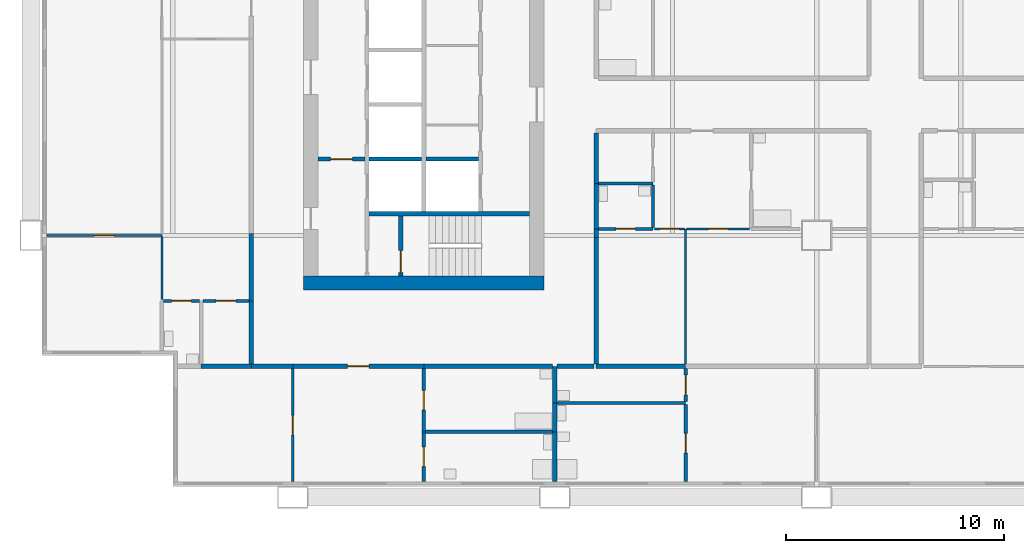
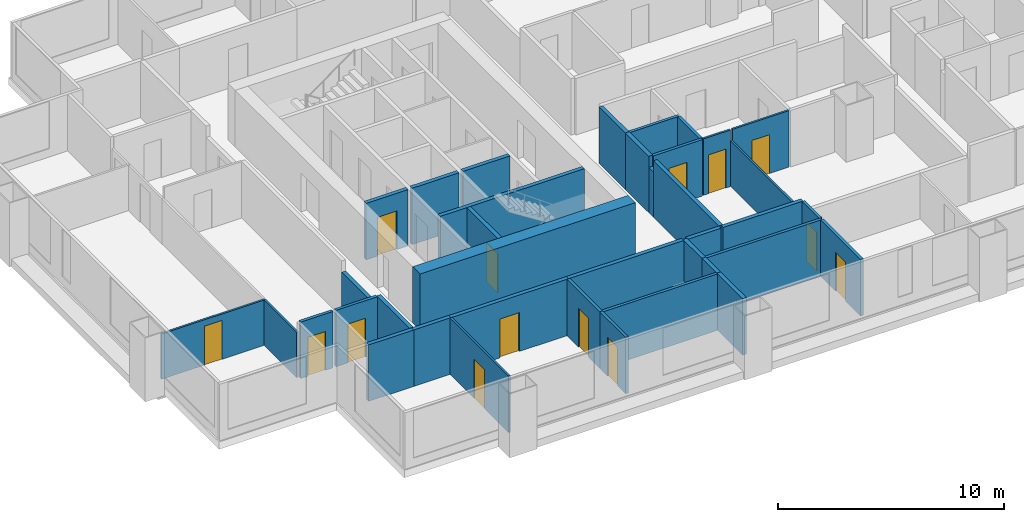
# One storey, part 2 of 11: 38 walls, 14 doors, 14 openings.
"""IFC4 building model written with IfcOpenShell, lengths in metres."""

import ifcopenshell
import ifcopenshell.guid

model = None  # the IFC model being written
_history = None  # IfcOwnerHistory: only IFC2X3 demands one
_inside = {}  # id of a spatial element -> (the spatial element, [elements in it])
_under = {}  # id of a project, library or spatial element -> (it, [spatial elements below it])
_declared = {}  # id of a project -> (the project, [libraries it declares])
_typed = {}  # id of a type object -> (the type object, [elements of that type])
_made_of = {}  # id of a material, layer set ... -> (it, [elements and type objects made of it])


def new_model(schema):
    """Start an empty IFC model of exactly this schema.

    Asked for "IFC4X3", IfcOpenShell would pick the latest addendum, in which some entities
    have other attributes; the version numbers below select the first issue.
    IFC2X3 requires an IfcOwnerHistory on every rooted entity: one is made here for all.
    """
    global model, _history
    if schema == "IFC4X3":
        model = ifcopenshell.file(schema_version=(4, 3, 0, 0))
    else:
        model = ifcopenshell.file(schema=schema)
    _inside.clear()
    _under.clear()
    _declared.clear()
    _typed.clear()
    _made_of.clear()
    _history = None
    if model.schema == "IFC2X3":
        org = make("IfcOrganization", Name="unknown")
        user = make(
            "IfcPersonAndOrganization",
            ThePerson=make("IfcPerson", FamilyName="unknown"),
            TheOrganization=org,
        )
        app = make(
            "IfcApplication",
            ApplicationDeveloper=org,
            Version="unknown",
            ApplicationFullName="unknown",
            ApplicationIdentifier="unknown",
        )
        _history = make(
            "IfcOwnerHistory",
            OwningUser=user,
            OwningApplication=app,
            ChangeAction="ADDED",
            CreationDate=0,
        )
    return model


def make(cls, **values):
    """One entity of the class cls with the attributes given. An attribute that is None is left unset."""
    return model.create_entity(
        cls, **{name: value for name, value in values.items() if value is not None}
    )


def rooted(cls, **values):
    """An entity with a GlobalId (a new one), such as an element, a storey or a relation."""
    return make(cls, GlobalId=ifcopenshell.guid.new(), OwnerHistory=_history, **values)


def si_unit(unit_type, name, prefix=None):
    """IfcSIUnit, for example si_unit("LENGTHUNIT", "METRE", prefix="MILLI")."""
    return make("IfcSIUnit", UnitType=unit_type, Prefix=prefix, Name=name)


def assignment(units):
    """IfcUnitAssignment: the units of a project."""
    return None if units is None else make("IfcUnitAssignment", Units=units)


def point(xyz):
    """IfcCartesianPoint."""
    return None if xyz is None else make("IfcCartesianPoint", Coordinates=xyz)


def direction(xyz):
    """IfcDirection."""
    return None if xyz is None else make("IfcDirection", DirectionRatios=xyz)


def frame(location, z_axis=None, x_axis=None):
    """IfcAxis2Placement3D, a coordinate frame: its origin and axes. An axis left out is left unset."""
    return make(
        "IfcAxis2Placement3D",
        Location=point(location),
        Axis=direction(z_axis),
        RefDirection=direction(x_axis),
    )


def frame_2d(location, x_axis=None):
    """IfcAxis2Placement2D, a coordinate frame in the plane: its origin and x axis."""
    return make(
        "IfcAxis2Placement2D", Location=point(location), RefDirection=direction(x_axis)
    )


def origin():
    """The frame at (0, 0, 0) with its axes left unset."""
    return frame((0.0, 0.0, 0.0))


def place(relative_to, where):
    """IfcLocalPlacement: puts the frame where relative to a parent placement (None: the world)."""
    return make(
        "IfcLocalPlacement", PlacementRelTo=relative_to, RelativePlacement=where
    )


def context(
    kind, dimensions, precision=None, world=None, true_north=None, identifier=None
):
    """IfcGeometricRepresentationContext, for example the 3D "Model" context."""
    return make(
        "IfcGeometricRepresentationContext",
        ContextIdentifier=identifier,
        ContextType=kind,
        CoordinateSpaceDimension=dimensions,
        Precision=precision,
        WorldCoordinateSystem=world,
        TrueNorth=true_north,
    )


def subcontext(parent, identifier, kind, view, scale=None):
    """IfcGeometricRepresentationSubContext, for example "Body" below "Model"."""
    return make(
        "IfcGeometricRepresentationSubContext",
        ContextIdentifier=identifier,
        ContextType=kind,
        ParentContext=parent,
        TargetScale=scale,
        TargetView=view,
    )


def project(units=None, contexts=None):
    """IfcProject with its units and contexts."""
    return rooted(
        "IfcProject",
        Name="project",
        RepresentationContexts=contexts,
        UnitsInContext=assignment(units),
    )


def spatial(cls, under=None, at=None, **own):
    """A site, building, storey or space (cls), placed at a placement, below another one or the project."""
    s = rooted(cls, ObjectPlacement=at, **own)
    if under is not None:
        _under.setdefault(under.id(), (under, []))[1].append(s)
    return s


def profile(cls, at=None, kind="AREA", **sizes):
    """A parametric profile (cls). Its sizes go by their IFC names, for example OverallWidth=200.0."""
    return make(cls, ProfileType=kind, Position=at, **sizes)


def rectangle(**sizes):
    """IfcRectangleProfileDef."""
    return profile("IfcRectangleProfileDef", **sizes)


def extrude(swept, where, along, depth):
    """IfcExtrudedAreaSolid: the profile swept, set in the frame where, extruded along a direction by depth."""
    return make(
        "IfcExtrudedAreaSolid",
        SweptArea=swept,
        Position=where,
        ExtrudedDirection=direction(along),
        Depth=depth,
    )


def shape(context_of_items, identifier, shape_type, items):
    """IfcShapeRepresentation: the items that make up one representation, for example the "Body"."""
    return make(
        "IfcShapeRepresentation",
        ContextOfItems=context_of_items,
        RepresentationIdentifier=identifier,
        RepresentationType=shape_type,
        Items=items,
    )


def material(Name=None, Category=None):
    """IfcMaterial."""
    return make("IfcMaterial", Name=Name, Category=Category)


def layer(
    of_material, thickness, ventilated=None, Name=None, Category=None, Priority=None
):
    """IfcMaterialLayer: one layer of a wall or slab, of a material (None: an air gap)."""
    return make(
        "IfcMaterialLayer",
        Material=of_material,
        LayerThickness=thickness,
        IsVentilated=ventilated,
        Name=Name,
        Category=Category,
        Priority=Priority,
    )


def layer_set(layers, Name=None):
    """IfcMaterialLayerSet."""
    return make("IfcMaterialLayerSet", MaterialLayers=layers, LayerSetName=Name)


def made_of(thing, what):
    """Note that an element or type object is made of a material, layer set ...; save() writes the relation."""
    if what is not None:
        _made_of.setdefault(what.id(), (what, []))[1].append(thing)
    return thing


def type_object(cls, material=None, **own):
    """A type object (cls), such as IfcWallType, which elements share."""
    return made_of(rooted(cls, **own), material)


def element(
    cls,
    number,
    at=None,
    inside=None,
    cuts=None,
    type_object=None,
    material=None,
    context=None,
    identifier="Body",
    shape_type=None,
    held_by="IfcProductDefinitionShape",
    body=None,
    shapes=None,
    **own,
):
    """One element of the class cls, such as IfcWall. Its Tag is "e" and its number.

    at: its placement. inside: the storey or other place that contains it. cuts: it is an
    opening in that element (IfcRelVoidsElement). A single representation is given by context,
    identifier, shape_type and body (its items); several are given by shapes. held_by: the class
    of the entity that holds the representations. save() writes the other relations.
    """
    e = rooted(cls, Tag="e%d" % number, ObjectPlacement=at, **own)
    if body is not None:
        shapes = [shape(context, identifier, shape_type, body)]
    if shapes is not None:
        e.Representation = make(held_by, Representations=shapes)
    if inside is not None:
        _inside.setdefault(inside.id(), (inside, []))[1].append(e)
    if cuts is not None:
        rooted(
            "IfcRelVoidsElement", RelatingBuildingElement=cuts, RelatedOpeningElement=e
        )
    if type_object is not None:
        _typed.setdefault(type_object.id(), (type_object, []))[1].append(e)
    return made_of(e, material)


def fill(opening, filler):
    """IfcRelFillsElement: the door or window that sits in an opening."""
    return rooted(
        "IfcRelFillsElement",
        RelatingOpeningElement=opening,
        RelatedBuildingElement=filler,
    )


def aggregate(whole, parts):
    """IfcRelAggregates: a whole, such as a stair, and the parts it consists of."""
    return rooted("IfcRelAggregates", RelatingObject=whole, RelatedObjects=parts)


def save(model, path):
    """Write the relations noted so far, then the file.

    IfcRelAggregates (storeys below a building ...), IfcRelContainedInSpatialStructure (elements
    in a storey), IfcRelDefinesByType, IfcRelAssociatesMaterial and IfcRelDeclares: one each for
    every whole, place, type object, material and project.
    """
    for whole, parts in _under.values():
        aggregate(whole, parts)
    for where, things in _inside.values():
        rooted(
            "IfcRelContainedInSpatialStructure",
            RelatedElements=things,
            RelatingStructure=where,
        )
    for kind, things in _typed.values():
        rooted("IfcRelDefinesByType", RelatedObjects=things, RelatingType=kind)
    for what, things in _made_of.values():
        rooted("IfcRelAssociatesMaterial", RelatedObjects=things, RelatingMaterial=what)
    for by, libraries in _declared.values():
        rooted("IfcRelDeclares", RelatingContext=by, RelatedDefinitions=libraries)
    model.write(path)


model = new_model("IFC4")

# Units and contexts
model_context = context("Model", 3, precision=1e-05, world=origin(), true_north=direction((0.0, 1.0)))
body_context = subcontext(model_context, "Body", "Model", "MODEL_VIEW")
ifc_project = project(units=[si_unit("LENGTHUNIT", "METRE"), si_unit("AREAUNIT", "SQUARE_METRE"), si_unit("VOLUMEUNIT", "CUBIC_METRE"), si_unit("PLANEANGLEUNIT", "RADIAN"), si_unit("MASSUNIT", "GRAM", prefix="KILO")], contexts=[model_context])

# Site, building, storey
site_placement = place(None, origin())
site = spatial("IfcSite", under=ifc_project, at=site_placement, CompositionType="ELEMENT")
building_placement = place(site_placement, origin())
building = spatial("IfcBuilding", under=site, at=building_placement, Name="Kitamizu Gate Tower and Museum", CompositionType="ELEMENT")
storey_placement = place(building_placement, frame((0.0, 0.0, 141.449951171875)))
storey = spatial("IfcBuildingStorey", under=building, at=storey_placement, Name="L37", CompositionType="ELEMENT", Elevation=141.449951171875)

# Wall
ifc_material_1 = material(Name="Concrete Fc60", Category="concrete")
ifc_layer_1 = layer(ifc_material_1, 0.64990234375)
ifc_layer_set_1 = layer_set([ifc_layer_1], Name="Concrete Fc60")
wall_type_1 = type_object("IfcWallType", Name="Core wall 650", PredefinedType="SHEAR", material=ifc_layer_set_1)
wall_1_placement = place(storey_placement, frame((12.5, 21.824951171875, 0.0), z_axis=(0.0, 0.0, 1.0), x_axis=(1.0, 0.0, 0.0)))
element("IfcWall", 1, at=wall_1_placement, inside=storey, type_object=wall_type_1, Name="Core wall WS", PredefinedType="SHEAR", context=body_context, shape_type="SweptSolid", body=[
    extrude(rectangle(XDim=11.0, YDim=0.64990234375, at=frame_2d((5.5, 0.0))), origin(), (0.0, 0.0, 1.0), 3.050048828125),
])

# Wall, opening, door
ifc_material_2 = material(Name="Gypsum board on galvanised stud")
ifc_layer_2 = layer(ifc_material_2, 0.10009765625)
ifc_layer_set_2 = layer_set([ifc_layer_2], Name="Gypsum board on galvanised stud")
wall_type_2 = type_object("IfcWallType", Name="Partition 100 NOT RATED", PredefinedType="PARTITIONING", material=ifc_layer_set_2)
wall_2_placement = place(storey_placement, frame((12.0, 12.719970703125, 0.0), z_axis=(0.0, 0.0, 1.0), x_axis=(0.0, 1.0, 0.0)))
wall_2 = element("IfcWall", 2, at=wall_2_placement, inside=storey, type_object=wall_type_2, Name="Partition L37-001", PredefinedType="PARTITIONING", context=body_context, shape_type="SweptSolid", body=[
    extrude(rectangle(XDim=5.179931640625, YDim=0.10009765625, at=frame_2d((2.58984375, 0.0))), origin(), (0.0, 0.0, 1.0), 3.050048828125),
])
opening_1_placement = place(wall_2_placement, frame((2.139892578125, 0.0, 0.0)))
opening_1 = element("IfcOpeningElement", 3, at=opening_1_placement, cuts=wall_2, Name="Opening L37-002", PredefinedType="OPENING", context=body_context, shape_type="SweptSolid", body=[
    extrude(rectangle(XDim=0.89990234375, YDim=2.10009765625, at=frame_2d((0.449951171875, 1.050048828125))), frame((0.0, 0.06005859375, 0.0), z_axis=(0.0, -1.0, 0.0), x_axis=(1.0, 0.0, 0.0)), (0.0, 0.0, 1.0), 0.1201171875),
])
ifc_material_3 = material(Name="Timber door set", Category="wood")
door_type_1 = type_object("IfcDoorType", Name="Room door 900", OperationType="NOTDEFINED", PredefinedType="DOOR", material=ifc_material_3)
door_1_placement = place(opening_1_placement, origin())
door_1 = element("IfcDoor", 4, at=door_1_placement, inside=storey, type_object=door_type_1, Name="Door L37-002", OperationType="SINGLE_SWING_LEFT", OverallHeight=2.10009765625, OverallWidth=0.89990234375, PredefinedType="DOOR", context=body_context, shape_type="SweptSolid", body=[
    extrude(rectangle(XDim=0.89990234375, YDim=2.10009765625, at=frame_2d((0.449951171875, 1.050048828125))), frame((0.0, 0.02490234375, 0.0), z_axis=(0.0, -1.0, 0.0), x_axis=(1.0, 0.0, 0.0)), (0.0, 0.0, 1.0), 0.050048828125),
])
fill(opening_1, door_1)

wall_3_placement = place(storey_placement, frame((6.0, 24.0, 0.0), z_axis=(0.0, 0.0, 1.0), x_axis=(-1.0, 0.0, 0.0)))
wall_3 = element("IfcWall", 5, at=wall_3_placement, inside=storey, type_object=wall_type_2, Name="Partition L37-013", PredefinedType="PARTITIONING", context=body_context, shape_type="SweptSolid", body=[
    extrude(rectangle(XDim=5.280029296875, YDim=0.10009765625, at=frame_2d((2.64013671875, 0.0))), origin(), (0.0, 0.0, 1.0), 2.449951171875),
])
opening_2_placement = place(wall_3_placement, frame((2.18994140625, 0.0, 0.0)))
opening_2 = element("IfcOpeningElement", 6, at=opening_2_placement, cuts=wall_3, Name="Opening L37-009", PredefinedType="OPENING", context=body_context, shape_type="SweptSolid", body=[
    extrude(rectangle(XDim=0.89990234375, YDim=2.10009765625, at=frame_2d((0.449951171875, 1.050048828125))), frame((0.0, 0.06005859375, 0.0), z_axis=(0.0, -1.0, 0.0), x_axis=(1.0, 0.0, 0.0)), (0.0, 0.0, 1.0), 0.1201171875),
])
door_2_placement = place(opening_2_placement, origin())
door_2 = element("IfcDoor", 7, at=door_2_placement, inside=storey, type_object=door_type_1, Name="Door L37-009", OperationType="SINGLE_SWING_LEFT", OverallHeight=2.10009765625, OverallWidth=0.89990234375, PredefinedType="DOOR", context=body_context, shape_type="SweptSolid", body=[
    extrude(rectangle(XDim=0.89990234375, YDim=2.10009765625, at=frame_2d((0.449951171875, 1.050048828125))), frame((0.0, 0.02490234375, 0.0), z_axis=(0.0, -1.0, 0.0), x_axis=(1.0, 0.0, 0.0)), (0.0, 0.0, 1.0), 0.050048828125),
])
fill(opening_2, door_2)

# Walls
wall_4_placement = place(storey_placement, frame((6.0, 21.074951171875, 0.0), z_axis=(0.0, 0.0, 1.0), x_axis=(0.0, 1.0, 0.0)))
element("IfcWall", 8, at=wall_4_placement, inside=storey, type_object=wall_type_2, Name="Partition L37-015", PredefinedType="PARTITIONING", context=body_context, shape_type="SweptSolid", body=[
    extrude(rectangle(XDim=2.875, YDim=0.10009765625, at=frame_2d((1.4375, 0.0))), origin(), (0.0, 0.0, 1.0), 2.449951171875),
])
wall_5_placement = place(storey_placement, frame((30.0, 18.10009765625, 0.0), z_axis=(0.0, 0.0, 1.0), x_axis=(0.0, 1.0, 0.0)))
element("IfcWall", 9, at=wall_5_placement, inside=storey, type_object=wall_type_2, Name="Partition L37-033", PredefinedType="PARTITIONING", context=body_context, shape_type="SweptSolid", body=[
    extrude(rectangle(XDim=6.199951171875, YDim=0.10009765625, at=frame_2d((3.10009765625, 0.0))), origin(), (0.0, 0.0, 1.0), 2.449951171875),
])

# Wall, opening, door
wall_6_placement = place(storey_placement, frame((29.949951171875, 24.300048828125, 0.0), z_axis=(0.0, 0.0, 1.0), x_axis=(-1.0, 0.0, 0.0)))
wall_6 = element("IfcWall", 10, at=wall_6_placement, inside=storey, type_object=wall_type_2, Name="Partition L37-035", PredefinedType="PARTITIONING", context=body_context, shape_type="SweptSolid", body=[
    extrude(rectangle(XDim=1.375, YDim=0.10009765625, at=frame_2d((0.6875, 0.0))), origin(), (0.0, 0.0, 1.0), 3.050048828125),
])
opening_3_placement = place(wall_6_placement, frame((0.237548828125, 0.0, 0.0)))
opening_3 = element("IfcOpeningElement", 11, at=opening_3_placement, cuts=wall_6, Name="Opening L37-014", PredefinedType="OPENING", context=body_context, shape_type="SweptSolid", body=[
    extrude(rectangle(XDim=0.89990234375, YDim=2.10009765625, at=frame_2d((0.449951171875, 1.050048828125))), frame((0.0, 0.06005859375, 0.0), z_axis=(0.0, -1.0, 0.0), x_axis=(1.0, 0.0, 0.0)), (0.0, 0.0, 1.0), 0.1201171875),
])
door_3_placement = place(opening_3_placement, origin())
door_3 = element("IfcDoor", 12, at=door_3_placement, inside=storey, type_object=door_type_1, Name="Door L37-014", OperationType="SINGLE_SWING_RIGHT", OverallHeight=2.10009765625, OverallWidth=0.89990234375, PredefinedType="DOOR", context=body_context, shape_type="SweptSolid", body=[
    extrude(rectangle(XDim=0.89990234375, YDim=2.10009765625, at=frame_2d((0.449951171875, 1.050048828125))), frame((0.0, 0.02490234375, 0.0), z_axis=(0.0, -1.0, 0.0), x_axis=(1.0, 0.0, 0.0)), (0.0, 0.0, 1.0), 0.050048828125),
])
fill(opening_3, door_3)

wall_7_placement = place(storey_placement, frame((32.925048828125, 24.300048828125, 0.0), z_axis=(0.0, 0.0, 1.0), x_axis=(-1.0, 0.0, 0.0)))
wall_7 = element("IfcWall", 13, at=wall_7_placement, inside=storey, type_object=wall_type_2, Name="Partition L37-039", PredefinedType="PARTITIONING", context=body_context, shape_type="SweptSolid", body=[
    extrude(rectangle(XDim=2.875, YDim=0.10009765625, at=frame_2d((1.4375, 0.0))), origin(), (0.0, 0.0, 1.0), 3.050048828125),
])
opening_4_placement = place(wall_7_placement, frame((0.987548828125, 0.0, 0.0)))
opening_4 = element("IfcOpeningElement", 14, at=opening_4_placement, cuts=wall_7, Name="Opening L37-015", PredefinedType="OPENING", context=body_context, shape_type="SweptSolid", body=[
    extrude(rectangle(XDim=0.89990234375, YDim=2.10009765625, at=frame_2d((0.449951171875, 1.050048828125))), frame((0.0, 0.06005859375, 0.0), z_axis=(0.0, -1.0, 0.0), x_axis=(1.0, 0.0, 0.0)), (0.0, 0.0, 1.0), 0.1201171875),
])
door_4_placement = place(opening_4_placement, origin())
door_4 = element("IfcDoor", 15, at=door_4_placement, inside=storey, type_object=door_type_1, Name="Door L37-015", OperationType="SINGLE_SWING_LEFT", OverallHeight=2.10009765625, OverallWidth=0.89990234375, PredefinedType="DOOR", context=body_context, shape_type="SweptSolid", body=[
    extrude(rectangle(XDim=0.89990234375, YDim=2.10009765625, at=frame_2d((0.449951171875, 1.050048828125))), frame((0.0, 0.02490234375, 0.0), z_axis=(0.0, -1.0, 0.0), x_axis=(1.0, 0.0, 0.0)), (0.0, 0.0, 1.0), 0.050048828125),
])
fill(opening_4, door_4)

ifc_material_4 = material(Name="Gypsum board on galvanised stud")
ifc_layer_3 = layer(ifc_material_4, 0.14990234375)
ifc_layer_set_3 = layer_set([ifc_layer_3], Name="Gypsum board on galvanised stud")
wall_type_3 = type_object("IfcWallType", Name="Partition 150", PredefinedType="PARTITIONING", material=ifc_layer_set_3)
wall_8_placement = place(storey_placement, frame((18.0, 12.719970703125, 0.0), z_axis=(0.0, 0.0, 1.0), x_axis=(0.0, 1.0, 0.0)))
wall_8 = element("IfcWall", 16, at=wall_8_placement, inside=storey, type_object=wall_type_3, Name="Partition L37-005", PredefinedType="PARTITIONING", context=body_context, shape_type="SweptSolid", body=[
    extrude(rectangle(XDim=2.280029296875, YDim=0.14990234375, at=frame_2d((1.14013671875, 0.0))), origin(), (0.0, 0.0, 1.0), 3.050048828125),
])
opening_5_placement = place(wall_8_placement, frame((0.68994140625, 0.0, 0.0)))
opening_5 = element("IfcOpeningElement", 17, at=opening_5_placement, cuts=wall_8, Name="Opening L37-003", PredefinedType="OPENING", context=body_context, shape_type="SweptSolid", body=[
    extrude(rectangle(XDim=0.89990234375, YDim=2.10009765625, at=frame_2d((0.449951171875, 1.050048828125))), frame((0.0, 0.0849609375, 0.0), z_axis=(0.0, -1.0, 0.0), x_axis=(1.0, 0.0, 0.0)), (0.0, 0.0, 1.0), 0.169921875),
])
ifc_material_5 = material(Name="Timber door set", Category="wood")
door_type_2 = type_object("IfcDoorType", Name="Bathroom door 900", OperationType="NOTDEFINED", PredefinedType="DOOR", material=ifc_material_5)
door_5_placement = place(opening_5_placement, frame((0.89990234375, 0.0, 0.0), x_axis=(-1.0, 0.0, 0.0)))
door_5 = element("IfcDoor", 18, at=door_5_placement, inside=storey, type_object=door_type_2, Name="Bathroom door L37-003", OperationType="SINGLE_SWING_LEFT", OverallHeight=2.10009765625, OverallWidth=0.89990234375, PredefinedType="DOOR", context=body_context, shape_type="SweptSolid", body=[
    extrude(rectangle(XDim=0.89990234375, YDim=2.10009765625, at=frame_2d((0.449951171875, 1.050048828125))), frame((0.0, 0.02490234375, 0.0), z_axis=(0.0, -1.0, 0.0), x_axis=(1.0, 0.0, 0.0)), (0.0, 0.0, 1.0), 0.050048828125),
])
fill(opening_5, door_5)

wall_9_placement = place(storey_placement, frame((18.0, 15.0, 0.0), z_axis=(0.0, 0.0, 1.0), x_axis=(0.0, 1.0, 0.0)))
wall_9 = element("IfcWall", 19, at=wall_9_placement, inside=storey, type_object=wall_type_3, Name="Partition L37-006", PredefinedType="PARTITIONING", context=body_context, shape_type="SweptSolid", body=[
    extrude(rectangle(XDim=2.89990234375, YDim=0.14990234375, at=frame_2d((1.449951171875, 0.0))), origin(), (0.0, 0.0, 1.0), 3.050048828125),
])
opening_6_placement = place(wall_9_placement, frame((1.0, 0.0, 0.0)))
opening_6 = element("IfcOpeningElement", 20, at=opening_6_placement, cuts=wall_9, Name="Opening L37-004", PredefinedType="OPENING", context=body_context, shape_type="SweptSolid", body=[
    extrude(rectangle(XDim=0.89990234375, YDim=2.10009765625, at=frame_2d((0.449951171875, 1.050048828125))), frame((0.0, 0.0849609375, 0.0), z_axis=(0.0, -1.0, 0.0), x_axis=(1.0, 0.0, 0.0)), (0.0, 0.0, 1.0), 0.169921875),
])
door_6_placement = place(opening_6_placement, frame((0.89990234375, 0.0, 0.0), x_axis=(-1.0, 0.0, 0.0)))
door_6 = element("IfcDoor", 21, at=door_6_placement, inside=storey, type_object=door_type_2, Name="Bathroom door L37-004", OperationType="SINGLE_SWING_RIGHT", OverallHeight=2.10009765625, OverallWidth=0.89990234375, PredefinedType="DOOR", context=body_context, shape_type="SweptSolid", body=[
    extrude(rectangle(XDim=0.89990234375, YDim=2.10009765625, at=frame_2d((0.449951171875, 1.050048828125))), frame((0.0, 0.02490234375, 0.0), z_axis=(0.0, -1.0, 0.0), x_axis=(1.0, 0.0, 0.0)), (0.0, 0.0, 1.0), 0.050048828125),
])
fill(opening_6, door_6)

# Wall
wall_10_placement = place(storey_placement, frame((23.89990234375, 15.0, 0.0), z_axis=(0.0, 0.0, 1.0), x_axis=(-1.0, 0.0, 0.0)))
element("IfcWall", 22, at=wall_10_placement, inside=storey, type_object=wall_type_3, Name="Partition L37-008", PredefinedType="PARTITIONING", context=body_context, shape_type="SweptSolid", body=[
    extrude(rectangle(XDim=5.824951171875, YDim=0.14990234375, at=frame_2d((2.91259765625, 0.0))), origin(), (0.0, 0.0, 1.0), 3.050048828125),
])

# Wall, opening, door
wall_11_placement = place(storey_placement, frame((7.72509765625, 21.0, 0.0), z_axis=(0.0, 0.0, 1.0), x_axis=(-1.0, 0.0, 0.0)))
wall_11 = element("IfcWall", 23, at=wall_11_placement, inside=storey, type_object=wall_type_3, Name="Partition L37-022", PredefinedType="PARTITIONING", context=body_context, shape_type="SweptSolid", body=[
    extrude(rectangle(XDim=1.650146484375, YDim=0.14990234375, at=frame_2d((0.8251953125, 0.0))), origin(), (0.0, 0.0, 1.0), 3.050048828125),
])
opening_7_placement = place(wall_11_placement, frame((0.375, 0.0, 0.0)))
opening_7 = element("IfcOpeningElement", 24, at=opening_7_placement, cuts=wall_11, Name="Opening L37-010", PredefinedType="OPENING", context=body_context, shape_type="SweptSolid", body=[
    extrude(rectangle(XDim=0.89990234375, YDim=2.10009765625, at=frame_2d((0.449951171875, 1.050048828125))), frame((0.0, 0.0849609375, 0.0), z_axis=(0.0, -1.0, 0.0), x_axis=(1.0, 0.0, 0.0)), (0.0, 0.0, 1.0), 0.169921875),
])
door_7_placement = place(opening_7_placement, origin())
door_7 = element("IfcDoor", 25, at=door_7_placement, inside=storey, type_object=door_type_2, Name="Bathroom door L37-010", OperationType="SINGLE_SWING_RIGHT", OverallHeight=2.10009765625, OverallWidth=0.89990234375, PredefinedType="DOOR", context=body_context, shape_type="SweptSolid", body=[
    extrude(rectangle(XDim=0.89990234375, YDim=2.10009765625, at=frame_2d((0.449951171875, 1.050048828125))), frame((0.0, 0.02490234375, 0.0), z_axis=(0.0, -1.0, 0.0), x_axis=(1.0, 0.0, 0.0)), (0.0, 0.0, 1.0), 0.050048828125),
])
fill(opening_7, door_7)

wall_12_placement = place(storey_placement, frame((10.0, 21.0, 0.0), z_axis=(0.0, 0.0, 1.0), x_axis=(-1.0, 0.0, 0.0)))
wall_12 = element("IfcWall", 26, at=wall_12_placement, inside=storey, type_object=wall_type_3, Name="Partition L37-023", PredefinedType="PARTITIONING", context=body_context, shape_type="SweptSolid", body=[
    extrude(rectangle(XDim=2.125, YDim=0.14990234375, at=frame_2d((1.0625, 0.0))), origin(), (0.0, 0.0, 1.0), 3.050048828125),
])
opening_8_placement = place(wall_12_placement, frame((0.612548828125, 0.0, 0.0)))
opening_8 = element("IfcOpeningElement", 27, at=opening_8_placement, cuts=wall_12, Name="Opening L37-011", PredefinedType="OPENING", context=body_context, shape_type="SweptSolid", body=[
    extrude(rectangle(XDim=0.89990234375, YDim=2.10009765625, at=frame_2d((0.449951171875, 1.050048828125))), frame((0.0, 0.0849609375, 0.0), z_axis=(0.0, -1.0, 0.0), x_axis=(1.0, 0.0, 0.0)), (0.0, 0.0, 1.0), 0.169921875),
])
door_8_placement = place(opening_8_placement, origin())
door_8 = element("IfcDoor", 28, at=door_8_placement, inside=storey, type_object=door_type_2, Name="Bathroom door L37-011", OperationType="SINGLE_SWING_LEFT", OverallHeight=2.10009765625, OverallWidth=0.89990234375, PredefinedType="DOOR", context=body_context, shape_type="SweptSolid", body=[
    extrude(rectangle(XDim=0.89990234375, YDim=2.10009765625, at=frame_2d((0.449951171875, 1.050048828125))), frame((0.0, 0.02490234375, 0.0), z_axis=(0.0, -1.0, 0.0), x_axis=(1.0, 0.0, 0.0)), (0.0, 0.0, 1.0), 0.050048828125),
])
fill(opening_8, door_8)

wall_13_placement = place(storey_placement, frame((28.5, 24.300048828125, 0.0), z_axis=(0.0, 0.0, 1.0), x_axis=(-1.0, 0.0, 0.0)))
wall_13 = element("IfcWall", 29, at=wall_13_placement, inside=storey, type_object=wall_type_3, Name="Partition L37-034", PredefinedType="PARTITIONING", context=body_context, shape_type="SweptSolid", body=[
    extrude(rectangle(XDim=2.5, YDim=0.14990234375, at=frame_2d((1.25, 0.0))), origin(), (0.0, 0.0, 1.0), 3.050048828125),
])
opening_9_placement = place(wall_13_placement, frame((0.800048828125, 0.0, 0.0)))
opening_9 = element("IfcOpeningElement", 30, at=opening_9_placement, cuts=wall_13, Name="Opening L37-016", PredefinedType="OPENING", context=body_context, shape_type="SweptSolid", body=[
    extrude(rectangle(XDim=0.89990234375, YDim=2.10009765625, at=frame_2d((0.449951171875, 1.050048828125))), frame((0.0, 0.0849609375, 0.0), z_axis=(0.0, -1.0, 0.0), x_axis=(1.0, 0.0, 0.0)), (0.0, 0.0, 1.0), 0.169921875),
])
door_9_placement = place(opening_9_placement, frame((0.89990234375, 0.0, 0.0), x_axis=(-1.0, 0.0, 0.0)))
door_9 = element("IfcDoor", 31, at=door_9_placement, inside=storey, type_object=door_type_2, Name="Bathroom door L37-016", OperationType="SINGLE_SWING_LEFT", OverallHeight=2.10009765625, OverallWidth=0.89990234375, PredefinedType="DOOR", context=body_context, shape_type="SweptSolid", body=[
    extrude(rectangle(XDim=0.89990234375, YDim=2.10009765625, at=frame_2d((0.449951171875, 1.050048828125))), frame((0.0, 0.02490234375, 0.0), z_axis=(0.0, -1.0, 0.0), x_axis=(1.0, 0.0, 0.0)), (0.0, 0.0, 1.0), 0.050048828125),
])
fill(opening_9, door_9)

# Walls
wall_14_placement = place(storey_placement, frame((28.5, 26.376953125, 0.0), z_axis=(0.0, 0.0, 1.0), x_axis=(-1.0, 0.0, 0.0)))
element("IfcWall", 32, at=wall_14_placement, inside=storey, type_object=wall_type_3, Name="Partition L37-045", PredefinedType="PARTITIONING", context=body_context, shape_type="SweptSolid", body=[
    extrude(rectangle(XDim=2.5, YDim=0.14990234375, at=frame_2d((1.25, 0.0))), origin(), (0.0, 0.0, 1.0), 3.050048828125),
])
wall_15_placement = place(storey_placement, frame((28.5, 24.375, 0.0), z_axis=(0.0, 0.0, 1.0), x_axis=(0.0, 1.0, 0.0)))
element("IfcWall", 33, at=wall_15_placement, inside=storey, type_object=wall_type_3, Name="Partition L37-046", PredefinedType="PARTITIONING", context=body_context, shape_type="SweptSolid", body=[
    extrude(rectangle(XDim=1.927001953125, YDim=0.14990234375, at=frame_2d((0.96337890625, 0.0))), origin(), (0.0, 0.0, 1.0), 3.050048828125),
])
wall_16_placement = place(storey_placement, frame((30.0, 16.320068359375, 0.0), z_axis=(0.0, 0.0, 1.0), x_axis=(-1.0, 0.0, 0.0)))
element("IfcWall", 34, at=wall_16_placement, inside=storey, type_object=wall_type_3, Name="Partition L37-056", PredefinedType="PARTITIONING", context=body_context, shape_type="SweptSolid", body=[
    extrude(rectangle(XDim=5.89990234375, YDim=0.14990234375, at=frame_2d((2.949951171875, 0.0))), origin(), (0.0, 0.0, 1.0), 3.050048828125),
])

# Wall, opening, door
wall_17_placement = place(storey_placement, frame((30.0, 12.719970703125, 0.0), z_axis=(0.0, 0.0, 1.0), x_axis=(0.0, 1.0, 0.0)))
wall_17 = element("IfcWall", 35, at=wall_17_placement, inside=storey, type_object=wall_type_3, Name="Partition L37-057", PredefinedType="PARTITIONING", context=body_context, shape_type="SweptSolid", body=[
    extrude(rectangle(XDim=3.525146484375, YDim=0.14990234375, at=frame_2d((1.7626953125, 0.0))), origin(), (0.0, 0.0, 1.0), 3.050048828125),
])
opening_10_placement = place(wall_17_placement, frame((1.3125, 0.0, 0.0)))
opening_10 = element("IfcOpeningElement", 36, at=opening_10_placement, cuts=wall_17, Name="Opening L37-022", PredefinedType="OPENING", context=body_context, shape_type="SweptSolid", body=[
    extrude(rectangle(XDim=0.89990234375, YDim=2.10009765625, at=frame_2d((0.449951171875, 1.050048828125))), frame((0.0, 0.0849609375, 0.0), z_axis=(0.0, -1.0, 0.0), x_axis=(1.0, 0.0, 0.0)), (0.0, 0.0, 1.0), 0.169921875),
])
door_10_placement = place(opening_10_placement, origin())
door_10 = element("IfcDoor", 37, at=door_10_placement, inside=storey, type_object=door_type_2, Name="Bathroom door L37-022", OperationType="SINGLE_SWING_RIGHT", OverallHeight=2.10009765625, OverallWidth=0.89990234375, PredefinedType="DOOR", context=body_context, shape_type="SweptSolid", body=[
    extrude(rectangle(XDim=0.89990234375, YDim=2.10009765625, at=frame_2d((0.449951171875, 1.050048828125))), frame((0.0, 0.02490234375, 0.0), z_axis=(0.0, -1.0, 0.0), x_axis=(1.0, 0.0, 0.0)), (0.0, 0.0, 1.0), 0.050048828125),
])
fill(opening_10, door_10)

wall_18_placement = place(storey_placement, frame((30.0, 16.39501953125, 0.0), z_axis=(0.0, 0.0, 1.0), x_axis=(0.0, 1.0, 0.0)))
wall_18 = element("IfcWall", 38, at=wall_18_placement, inside=storey, type_object=wall_type_3, Name="Partition L37-058", PredefinedType="PARTITIONING", context=body_context, shape_type="SweptSolid", body=[
    extrude(rectangle(XDim=1.5048828125, YDim=0.14990234375, at=frame_2d((0.75244140625, 0.0))), origin(), (0.0, 0.0, 1.0), 3.050048828125),
])
opening_11_placement = place(wall_18_placement, frame((0.302490234375, 0.0, 0.0)))
opening_11 = element("IfcOpeningElement", 39, at=opening_11_placement, cuts=wall_18, Name="Opening L37-023", PredefinedType="OPENING", context=body_context, shape_type="SweptSolid", body=[
    extrude(rectangle(XDim=0.89990234375, YDim=2.10009765625, at=frame_2d((0.449951171875, 1.050048828125))), frame((0.0, 0.0849609375, 0.0), z_axis=(0.0, -1.0, 0.0), x_axis=(1.0, 0.0, 0.0)), (0.0, 0.0, 1.0), 0.169921875),
])
door_11_placement = place(opening_11_placement, origin())
door_11 = element("IfcDoor", 40, at=door_11_placement, inside=storey, type_object=door_type_2, Name="Bathroom door L37-023", OperationType="SINGLE_SWING_LEFT", OverallHeight=2.10009765625, OverallWidth=0.89990234375, PredefinedType="DOOR", context=body_context, shape_type="SweptSolid", body=[
    extrude(rectangle(XDim=0.89990234375, YDim=2.10009765625, at=frame_2d((0.449951171875, 1.050048828125))), frame((0.0, 0.02490234375, 0.0), z_axis=(0.0, -1.0, 0.0), x_axis=(1.0, 0.0, 0.0)), (0.0, 0.0, 1.0), 0.050048828125),
])
fill(opening_11, door_11)

# Walls
ifc_material_6 = material(Name="Gypsum board on galvanised stud")
ifc_layer_4 = layer(ifc_material_6, 0.199951171875)
ifc_layer_set_4 = layer_set([ifc_layer_4], Name="Gypsum board on galvanised stud")
wall_type_4 = type_object("IfcWallType", Name="Partition 200", PredefinedType="PARTITIONING", material=ifc_layer_set_4)
wall_19_placement = place(storey_placement, frame((10.10009765625, 18.0, 0.0), z_axis=(0.0, 0.0, 1.0), x_axis=(-1.0, 0.0, 0.0)))
element("IfcWall", 41, at=wall_19_placement, inside=storey, type_object=wall_type_4, Name="Partition L37-003", PredefinedType="PARTITIONING", context=body_context, shape_type="SweptSolid", body=[
    extrude(rectangle(XDim=2.300048828125, YDim=0.199951171875, at=frame_2d((1.14990234375, 0.0))), origin(), (0.0, 0.0, 1.0), 3.050048828125),
])
wall_20_placement = place(storey_placement, frame((12.0, 18.0, 0.0), z_axis=(0.0, 0.0, 1.0), x_axis=(-1.0, 0.0, 0.0)))
element("IfcWall", 42, at=wall_20_placement, inside=storey, type_object=wall_type_4, Name="Partition L37-004", PredefinedType="PARTITIONING", context=body_context, shape_type="SweptSolid", body=[
    extrude(rectangle(XDim=1.89990234375, YDim=0.199951171875, at=frame_2d((0.949951171875, 0.0))), origin(), (0.0, 0.0, 1.0), 3.050048828125),
])

# Wall, opening, door
wall_21_placement = place(storey_placement, frame((18.0, 18.0, 0.0), z_axis=(0.0, 0.0, 1.0), x_axis=(-1.0, 0.0, 0.0)))
wall_21 = element("IfcWall", 43, at=wall_21_placement, inside=storey, type_object=wall_type_4, Name="Partition L37-007", PredefinedType="PARTITIONING", context=body_context, shape_type="SweptSolid", body=[
    extrude(rectangle(XDim=6.0, YDim=0.199951171875, at=frame_2d((3.0, 0.0))), origin(), (0.0, 0.0, 1.0), 3.050048828125),
])
opening_12_placement = place(wall_21_placement, frame((2.5, 0.0, 0.0)))
opening_12 = element("IfcOpeningElement", 44, at=opening_12_placement, cuts=wall_21, Name="Opening L37-001", PredefinedType="OPENING", context=body_context, shape_type="SweptSolid", body=[
    extrude(rectangle(XDim=1.0, YDim=2.10009765625, at=frame_2d((0.5, 1.050048828125))), frame((0.0, 0.10986328125, 0.0), z_axis=(0.0, -1.0, 0.0), x_axis=(1.0, 0.0, 0.0)), (0.0, 0.0, 1.0), 0.219970703125),
])
ifc_material_7 = material(Name="Timber door set", Category="wood")
door_type_3 = type_object("IfcDoorType", Name="Flat entrance door 1000", OperationType="NOTDEFINED", PredefinedType="DOOR", material=ifc_material_7)
door_12_placement = place(opening_12_placement, origin())
door_12 = element("IfcDoor", 45, at=door_12_placement, inside=storey, type_object=door_type_3, Name="Flat entrance door L37-001", OperationType="SINGLE_SWING_RIGHT", OverallHeight=2.10009765625, OverallWidth=1.0, PredefinedType="DOOR", context=body_context, shape_type="SweptSolid", body=[
    extrude(rectangle(XDim=1.0, YDim=2.10009765625, at=frame_2d((0.5, 1.050048828125))), frame((0.0, 0.02490234375, 0.0), z_axis=(0.0, -1.0, 0.0), x_axis=(1.0, 0.0, 0.0)), (0.0, 0.0, 1.0), 0.050048828125),
])
fill(opening_12, door_12)

# Walls
wall_22_placement = place(storey_placement, frame((24.0, 12.719970703125, 0.0), z_axis=(0.0, 0.0, 1.0), x_axis=(0.0, 1.0, 0.0)))
element("IfcWall", 46, at=wall_22_placement, inside=storey, type_object=wall_type_4, Name="Partition L37-009", PredefinedType="PARTITIONING", context=body_context, shape_type="SweptSolid", body=[
    extrude(rectangle(XDim=2.280029296875, YDim=0.199951171875, at=frame_2d((1.14013671875, 0.0))), origin(), (0.0, 0.0, 1.0), 3.050048828125),
])
wall_23_placement = place(storey_placement, frame((24.0, 15.0, 0.0), z_axis=(0.0, 0.0, 1.0), x_axis=(0.0, 1.0, 0.0)))
element("IfcWall", 47, at=wall_23_placement, inside=storey, type_object=wall_type_4, Name="Partition L37-010", PredefinedType="PARTITIONING", context=body_context, shape_type="SweptSolid", body=[
    extrude(rectangle(XDim=1.320068359375, YDim=0.199951171875, at=frame_2d((0.66015625, 0.0))), origin(), (0.0, 0.0, 1.0), 3.050048828125),
])
wall_24_placement = place(storey_placement, frame((24.0, 16.320068359375, 0.0), z_axis=(0.0, 0.0, 1.0), x_axis=(0.0, 1.0, 0.0)))
element("IfcWall", 48, at=wall_24_placement, inside=storey, type_object=wall_type_4, Name="Partition L37-011", PredefinedType="PARTITIONING", context=body_context, shape_type="SweptSolid", body=[
    extrude(rectangle(XDim=1.679931640625, YDim=0.199951171875, at=frame_2d((0.83984375, 0.0))), origin(), (0.0, 0.0, 1.0), 3.050048828125),
])
wall_25_placement = place(storey_placement, frame((23.89990234375, 18.0, 0.0), z_axis=(0.0, 0.0, 1.0), x_axis=(-1.0, 0.0, 0.0)))
element("IfcWall", 49, at=wall_25_placement, inside=storey, type_object=wall_type_4, Name="Partition L37-012", PredefinedType="PARTITIONING", context=body_context, shape_type="SweptSolid", body=[
    extrude(rectangle(XDim=5.89990234375, YDim=0.199951171875, at=frame_2d((2.949951171875, 0.0))), origin(), (0.0, 0.0, 1.0), 3.050048828125),
])
wall_26_placement = place(storey_placement, frame((10.10009765625, 18.10009765625, 0.0), z_axis=(0.0, 0.0, 1.0), x_axis=(0.0, 1.0, 0.0)))
element("IfcWall", 50, at=wall_26_placement, inside=storey, type_object=wall_type_4, Name="Partition L37-024", PredefinedType="PARTITIONING", context=body_context, shape_type="SweptSolid", body=[
    extrude(rectangle(XDim=2.89990234375, YDim=0.199951171875, at=frame_2d((1.449951171875, 0.0))), origin(), (0.0, 0.0, 1.0), 3.050048828125),
])
wall_27_placement = place(storey_placement, frame((10.10009765625, 21.0, 0.0), z_axis=(0.0, 0.0, 1.0), x_axis=(0.0, 1.0, 0.0)))
element("IfcWall", 51, at=wall_27_placement, inside=storey, type_object=wall_type_4, Name="Partition L37-026", PredefinedType="PARTITIONING", context=body_context, shape_type="SweptSolid", body=[
    extrude(rectangle(XDim=3.10009765625, YDim=0.199951171875, at=frame_2d((1.550048828125, 0.0))), origin(), (0.0, 0.0, 1.0), 2.449951171875),
])
wall_28_placement = place(storey_placement, frame((25.89990234375, 18.0, 0.0), z_axis=(0.0, 0.0, 1.0), x_axis=(1.0, 0.0, 0.0)))
element("IfcWall", 52, at=wall_28_placement, inside=storey, type_object=wall_type_4, Name="Partition L37-036", PredefinedType="PARTITIONING", context=body_context, shape_type="SweptSolid", body=[
    extrude(rectangle(XDim=4.10009765625, YDim=0.199951171875, at=frame_2d((2.050048828125, 0.0))), origin(), (0.0, 0.0, 1.0), 3.050048828125),
])
wall_29_placement = place(storey_placement, frame((25.89990234375, 24.300048828125, 0.0), z_axis=(0.0, 0.0, 1.0), x_axis=(0.0, -1.0, 0.0)))
element("IfcWall", 53, at=wall_29_placement, inside=storey, type_object=wall_type_4, Name="Partition L37-037", PredefinedType="PARTITIONING", context=body_context, shape_type="SweptSolid", body=[
    extrude(rectangle(XDim=0.400146484375, YDim=0.199951171875, at=frame_2d((0.2001953125, 0.0))), origin(), (0.0, 0.0, 1.0), 2.449951171875),
])
wall_30_placement = place(storey_placement, frame((25.89990234375, 23.89990234375, 0.0), z_axis=(0.0, 0.0, 1.0), x_axis=(0.0, -1.0, 0.0)))
element("IfcWall", 54, at=wall_30_placement, inside=storey, type_object=wall_type_4, Name="Partition L37-038", PredefinedType="PARTITIONING", context=body_context, shape_type="SweptSolid", body=[
    extrude(rectangle(XDim=5.7998046875, YDim=0.199951171875, at=frame_2d((2.89990234375, 0.0))), origin(), (0.0, 0.0, 1.0), 3.050048828125),
])
wall_31_placement = place(storey_placement, frame((25.89990234375, 26.376953125, 0.0), z_axis=(0.0, 0.0, 1.0), x_axis=(0.0, -1.0, 0.0)))
element("IfcWall", 55, at=wall_31_placement, inside=storey, type_object=wall_type_4, Name="Partition L37-047", PredefinedType="PARTITIONING", context=body_context, shape_type="SweptSolid", body=[
    extrude(rectangle(XDim=2.076904296875, YDim=0.199951171875, at=frame_2d((1.03857421875, 0.0))), origin(), (0.0, 0.0, 1.0), 3.050048828125),
])
wall_32_placement = place(storey_placement, frame((25.89990234375, 28.699951171875, 0.0), z_axis=(0.0, 0.0, 1.0), x_axis=(0.0, -1.0, 0.0)))
element("IfcWall", 56, at=wall_32_placement, inside=storey, type_object=wall_type_4, Name="Partition L37-050", PredefinedType="PARTITIONING", context=body_context, shape_type="SweptSolid", body=[
    extrude(rectangle(XDim=2.322998046875, YDim=0.199951171875, at=frame_2d((1.16162109375, 0.0))), origin(), (0.0, 0.0, 1.0), 3.050048828125),
])
wall_33_placement = place(storey_placement, frame((25.800048828125, 18.0, 0.0), z_axis=(0.0, 0.0, 1.0), x_axis=(-1.0, 0.0, 0.0)))
element("IfcWall", 57, at=wall_33_placement, inside=storey, type_object=wall_type_4, Name="Partition L37-059", PredefinedType="PARTITIONING", context=body_context, shape_type="SweptSolid", body=[
    extrude(rectangle(XDim=1.699951171875, YDim=0.199951171875, at=frame_2d((0.85009765625, 0.0))), origin(), (0.0, 0.0, 1.0), 3.050048828125),
])
ifc_material_8 = material(Name="Concrete Fc42", Category="concrete")
ifc_layer_5 = layer(ifc_material_8, 0.199951171875)
ifc_layer_set_5 = layer_set([ifc_layer_5], Name="Concrete Fc42")
wall_type_5 = type_object("IfcWallType", Name="Shaft wall 200", PredefinedType="SOLIDWALL", material=ifc_layer_set_5)
wall_34_placement = place(storey_placement, frame((15.5, 25.0, 0.0), z_axis=(0.0, 0.0, 1.0), x_axis=(1.0, 0.0, 0.0)))
element("IfcWall", 58, at=wall_34_placement, inside=storey, type_object=wall_type_5, Name="Shaft wall WSB", PredefinedType="SOLIDWALL", context=body_context, shape_type="SweptSolid", body=[
    extrude(rectangle(XDim=7.35009765625, YDim=0.199951171875, at=frame_2d((3.675048828125, 0.0))), origin(), (0.0, 0.0, 1.0), 3.050048828125),
])

# Wall, opening, door
wall_35_placement = place(storey_placement, frame((13.14990234375, 27.5, 0.0), z_axis=(0.0, 0.0, 1.0), x_axis=(1.0, 0.0, 0.0)))
wall_35 = element("IfcWall", 59, at=wall_35_placement, inside=storey, type_object=wall_type_5, Name="Shaft wall WFFN", PredefinedType="SOLIDWALL", context=body_context, shape_type="SweptSolid", body=[
    extrude(rectangle(XDim=2.150146484375, YDim=0.199951171875, at=frame_2d((1.0751953125, 0.0))), origin(), (0.0, 0.0, 1.0), 3.050048828125),
])
opening_13_placement = place(wall_35_placement, frame((0.574951171875, 0.0, 0.0)))
opening_13 = element("IfcOpeningElement", 60, at=opening_13_placement, cuts=wall_35, Name="Opening L37-059", PredefinedType="OPENING", context=body_context, shape_type="SweptSolid", body=[
    extrude(rectangle(XDim=1.0, YDim=2.10009765625, at=frame_2d((0.5, 1.050048828125))), frame((0.0, 0.10986328125, 0.0), z_axis=(0.0, -1.0, 0.0), x_axis=(1.0, 0.0, 0.0)), (0.0, 0.0, 1.0), 0.219970703125),
])
ifc_material_9 = material(Name="Hollow metal door set")
door_type_4 = type_object("IfcDoorType", Name="Fire door 1000", OperationType="NOTDEFINED", PredefinedType="DOOR", material=ifc_material_9)
door_13_placement = place(opening_13_placement, frame((1.0, 0.0, 0.0), x_axis=(-1.0, 0.0, 0.0)))
door_13 = element("IfcDoor", 61, at=door_13_placement, inside=storey, type_object=door_type_4, Name="Fire-fighting lobby door L37-059", OperationType="SINGLE_SWING_LEFT", OverallHeight=2.10009765625, OverallWidth=1.0, PredefinedType="DOOR", context=body_context, shape_type="SweptSolid", body=[
    extrude(rectangle(XDim=1.0, YDim=2.10009765625, at=frame_2d((0.5, 1.050048828125))), frame((0.0, 0.02490234375, 0.0), z_axis=(0.0, -1.0, 0.0), x_axis=(1.0, 0.0, 0.0)), (0.0, 0.0, 1.0), 0.050048828125),
])
fill(opening_13, door_13)

wall_36_placement = place(storey_placement, frame((16.949951171875, 22.14990234375, 0.0), z_axis=(0.0, 0.0, 1.0), x_axis=(0.0, 1.0, 0.0)))
wall_36 = element("IfcWall", 62, at=wall_36_placement, inside=storey, type_object=wall_type_5, Name="Shaft wall WSZ", PredefinedType="SOLIDWALL", context=body_context, shape_type="SweptSolid", body=[
    extrude(rectangle(XDim=2.75, YDim=0.199951171875, at=frame_2d((1.375, 0.0))), origin(), (0.0, 0.0, 1.0), 3.050048828125),
])
opening_14_placement = place(wall_36_placement, frame((0.14990234375, 0.0, 0.0)))
opening_14 = element("IfcOpeningElement", 63, at=opening_14_placement, cuts=wall_36, Name="Opening L37-055", PredefinedType="OPENING", context=body_context, shape_type="SweptSolid", body=[
    extrude(rectangle(XDim=1.0, YDim=2.10009765625, at=frame_2d((0.5, 1.050048828125))), frame((0.0, 0.10986328125, 0.0), z_axis=(0.0, -1.0, 0.0), x_axis=(1.0, 0.0, 0.0)), (0.0, 0.0, 1.0), 0.219970703125),
])
door_14_placement = place(opening_14_placement, frame((1.0, 0.0, 0.0), x_axis=(-1.0, 0.0, 0.0)))
door_14 = element("IfcDoor", 64, at=door_14_placement, inside=storey, type_object=door_type_4, Name="Stair door L37-055", OperationType="SINGLE_SWING_LEFT", OverallHeight=2.10009765625, OverallWidth=1.0, PredefinedType="DOOR", context=body_context, shape_type="SweptSolid", body=[
    extrude(rectangle(XDim=1.0, YDim=2.10009765625, at=frame_2d((0.5, 1.050048828125))), frame((0.0, 0.02490234375, 0.0), z_axis=(0.0, -1.0, 0.0), x_axis=(1.0, 0.0, 0.0)), (0.0, 0.0, 1.0), 0.050048828125),
])
fill(opening_14, door_14)

# Walls
for number, where, z_axis, x_axis, name in (
    (65, (15.5, 27.5, 0.0), (0.0, 0.0, 1.0), (1.0, 0.0, 0.0), "Shaft wall WDVW0"),
    (66, (18.10009765625, 27.5, 0.0), (0.0, 0.0, 1.0), (1.0, 0.0, 0.0), "Shaft wall WDVE0"),
):
    element("IfcWall", number, at=place(storey_placement, frame(where, z_axis=z_axis, x_axis=x_axis)), inside=storey, type_object=wall_type_5, Name=name, PredefinedType="SOLIDWALL", context=body_context, shape_type="SweptSolid", body=[
        extrude(rectangle(XDim=2.39990234375, YDim=0.199951171875, at=frame_2d((1.199951171875, 0.0))), origin(), (0.0, 0.0, 1.0), 3.050048828125),
    ])

save(model, "model.ifc")
